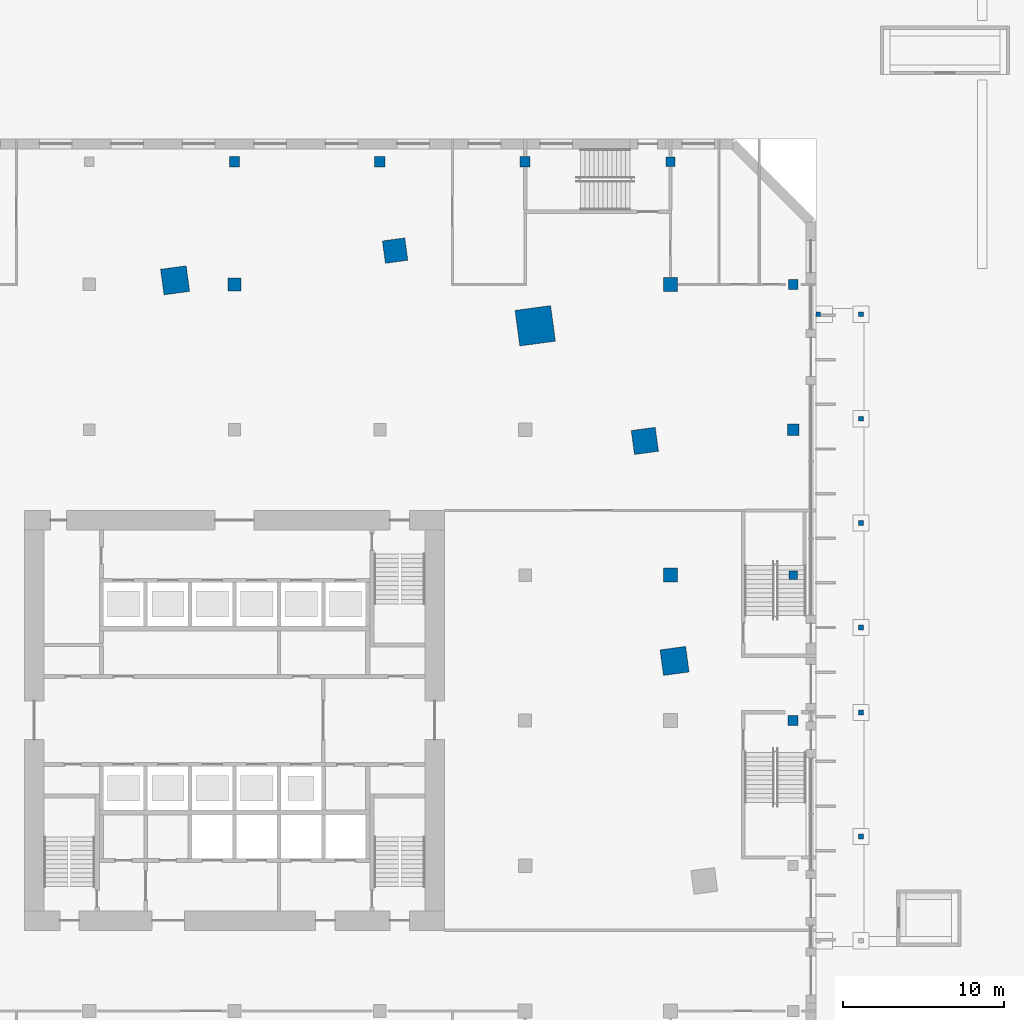
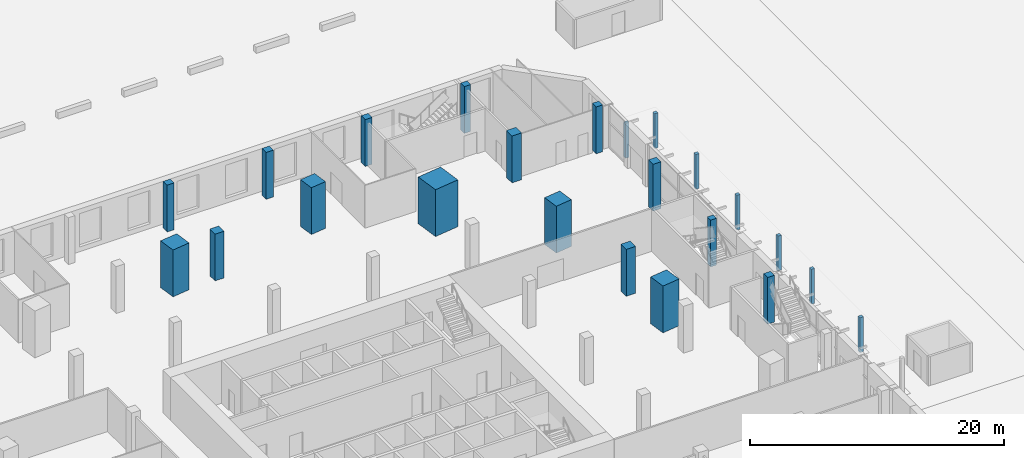
# One storey, part 7 of 42: 23 columns.
"""IFC4 building model written with IfcOpenShell, lengths in metres."""

from ifc_helpers import new_model, si_unit, direction, frame, origin, origin_2d, place, context, subcontext, project, spatial, rectangle, extrude, material, material_profile, profile_set, type_object, element, save


model = new_model("IFC4")

# Units and contexts
model_context = context("Model", 3, precision=1e-05, world=origin(), true_north=direction((0.0, 1.0)))
body_context = subcontext(model_context, "Body", "Model", "MODEL_VIEW")
ifc_project = project(units=[si_unit("LENGTHUNIT", "METRE"), si_unit("AREAUNIT", "SQUARE_METRE"), si_unit("VOLUMEUNIT", "CUBIC_METRE"), si_unit("PLANEANGLEUNIT", "RADIAN"), si_unit("MASSUNIT", "GRAM", prefix="KILO")], contexts=[model_context])

# Site, building, storey
site_placement = place(None, origin())
site = spatial("IfcSite", under=ifc_project, at=site_placement, CompositionType="ELEMENT")
building_placement = place(site_placement, origin())
building = spatial("IfcBuilding", under=site, at=building_placement, Name="Dilmun Exchange Tower", CompositionType="ELEMENT")
storey_placement = place(building_placement, origin())
storey = spatial("IfcBuildingStorey", under=building, at=storey_placement, Name="L00", CompositionType="ELEMENT", Elevation=0.0)

# Columns
ifc_material_1 = material(Name="Concrete C40/50", Category="concrete")
ifc_material_profile_1 = material_profile(ifc_material_1, rectangle(XDim=0.300048828125, YDim=0.300048828125, at=origin_2d()), Name="300 x 300")
ifc_profile_set_1 = profile_set([ifc_material_profile_1], Name="Concrete C40/50")
column_type_1 = type_object("IfcColumnType", Name="Canopy column 300 x 300 C40/50", PredefinedType="COLUMN", material=ifc_profile_set_1)
for number, where, z_axis, x_axis, name in (
    (1, (38.800048828125, -7.183349609375, 0.0), (0.0, 0.0, 1.0), (0.0, 1.0, 0.0), "Canopy column 3.2"),
    (2, (38.800048828125, 0.4833984375, 0.0), (0.0, 0.0, 1.0), (0.0, 1.0, 0.0), "Canopy column 3.3"),
    (3, (38.800048828125, 5.75, 0.0), (0.0, 0.0, 1.0), (0.0, 1.0, 0.0), "Canopy column 3.4"),
    (4, (38.800048828125, 12.216796875, 0.0), (0.0, 0.0, 1.0), (0.0, 1.0, 0.0), "Canopy column 3.5"),
    (5, (38.800048828125, 18.683349609375, 0.0), (0.0, 0.0, 1.0), (0.0, 1.0, 0.0), "Canopy column 3.6"),
    (6, (38.800048828125, 25.14990234375, 0.0), (0.0, 0.0, 1.0), (0.0, 1.0, 0.0), "Canopy column 3.7"),
    (7, (36.14990234375, 25.14990234375, 0.0), (0.0, 0.0, 1.0), (0.0, 1.0, 0.0), "Canopy column 3.9"),
):
    element("IfcColumn", number, at=place(storey_placement, frame(where, z_axis=z_axis, x_axis=x_axis)), inside=storey, type_object=column_type_1, Name=name, PredefinedType="COLUMN", context=body_context, shape_type="SweptSolid", body=[
        extrude(rectangle(XDim=0.300048828125, YDim=0.300048828125, at=origin_2d()), origin(), (0.0, 0.0, 1.0), 3.35009765625),
    ])
ifc_material_2 = material(Name="Concrete C80/95", Category="concrete")
ifc_material_profile_2 = material_profile(ifc_material_2, rectangle(XDim=2.22509765625, YDim=2.22509765625, at=origin_2d()), Name="2225 x 2225")
ifc_profile_set_2 = profile_set([ifc_material_profile_2], Name="Concrete C80/95")
column_type_2 = type_object("IfcColumnType", Name="RC mega column 2225 x 2225 C80/95", PredefinedType="COLUMN", material=ifc_profile_set_2)
column_1_placement = place(storey_placement, frame((18.6220703125, 24.43701171875, 0.0), z_axis=(0.0, 0.0, 1.0), x_axis=(0.991001197216, 0.133853005627, 0.0)))
element("IfcColumn", 8, at=column_1_placement, inside=storey, type_object=column_type_2, Name="Mega column M1", PredefinedType="COLUMN", context=body_context, shape_type="SweptSolid", body=[
    extrude(rectangle(XDim=2.22509765625, YDim=2.22509765625, at=origin_2d()), origin(), (0.0, 0.0, 1.0), 4.5),
])
ifc_material_3 = material(Name="Concrete C60/75", Category="concrete")
ifc_material_profile_3 = material_profile(ifc_material_3, rectangle(XDim=0.52490234375, YDim=0.52490234375, at=origin_2d()), Name="525 x 525")
ifc_profile_set_3 = profile_set([ifc_material_profile_3], Name="Concrete C60/75")
column_type_3 = type_object("IfcColumnType", Name="RC podium column 525 x 525 C60/75", PredefinedType="COLUMN", material=ifc_profile_set_3)
column_2_placement = place(storey_placement, frame((34.60009765625, 9.0, 0.0), z_axis=(0.0, 0.0, 1.0), x_axis=(1.0, 0.0, 0.0)))
element("IfcColumn", 9, at=column_2_placement, inside=storey, type_object=column_type_3, Name="Podium column 13K", PredefinedType="COLUMN", context=body_context, shape_type="SweptSolid", body=[
    extrude(rectangle(XDim=0.52490234375, YDim=0.52490234375, at=origin_2d()), origin(), (0.0, 0.0, 1.0), 4.5),
])
ifc_material_profile_4 = material_profile(ifc_material_3, rectangle(XDim=0.574951171875, YDim=0.574951171875, at=origin_2d()), Name="575 x 575")
ifc_profile_set_4 = profile_set([ifc_material_profile_4], Name="Concrete C60/75")
column_type_4 = type_object("IfcColumnType", Name="RC podium column 575 x 575 C60/75", PredefinedType="COLUMN", material=ifc_profile_set_4)
column_3_placement = place(storey_placement, frame((27.0, 34.60009765625, 0.0), z_axis=(0.0, 0.0, 1.0), x_axis=(1.0, 0.0, 0.0)))
element("IfcColumn", 10, at=column_3_placement, inside=storey, type_object=column_type_4, Name="Podium column 12N", PredefinedType="COLUMN", context=body_context, shape_type="SweptSolid", body=[
    extrude(rectangle(XDim=0.574951171875, YDim=0.574951171875, at=origin_2d()), origin(), (0.0, 0.0, 1.0), 4.5),
])
ifc_material_profile_5 = material_profile(ifc_material_3, rectangle(XDim=0.60009765625, YDim=0.60009765625, at=origin_2d()), Name="600 x 600")
ifc_profile_set_5 = profile_set([ifc_material_profile_5], Name="Concrete C60/75")
column_type_5 = type_object("IfcColumnType", Name="RC podium column 600 x 600 C60/75", PredefinedType="COLUMN", material=ifc_profile_set_5)
column_4_placement = place(storey_placement, frame((34.60009765625, 27.0, 0.0), z_axis=(0.0, 0.0, 1.0), x_axis=(1.0, 0.0, 0.0)))
element("IfcColumn", 11, at=column_4_placement, inside=storey, type_object=column_type_5, Name="Podium column 13M", PredefinedType="COLUMN", context=body_context, shape_type="SweptSolid", body=[
    extrude(rectangle(XDim=0.60009765625, YDim=0.60009765625, at=origin_2d()), origin(), (0.0, 0.0, 1.0), 4.5),
])
ifc_material_profile_6 = material_profile(ifc_material_3, rectangle(XDim=0.625, YDim=0.625, at=origin_2d()), Name="625 x 625")
ifc_profile_set_6 = profile_set([ifc_material_profile_6], Name="Concrete C60/75")
column_type_6 = type_object("IfcColumnType", Name="RC podium column 625 x 625 C60/75", PredefinedType="COLUMN", material=ifc_profile_set_6)
for number, where, z_axis, x_axis, name in (
    (12, (0.0, 34.60009765625, 0.0), (0.0, 0.0, 1.0), (1.0, 0.0, 0.0), "Podium column 9N"),
    (13, (18.0, 34.60009765625, 0.0), (0.0, 0.0, 1.0), (1.0, 0.0, 0.0), "Podium column 11N"),
    (14, (34.60009765625, 0.0, 0.0), (0.0, 0.0, 1.0), (1.0, 0.0, 0.0), "Podium column 13J"),
):
    element("IfcColumn", number, at=place(storey_placement, frame(where, z_axis=z_axis, x_axis=x_axis)), inside=storey, type_object=column_type_6, Name=name, PredefinedType="COLUMN", context=body_context, shape_type="SweptSolid", body=[
        extrude(rectangle(XDim=0.625, YDim=0.625, at=origin_2d()), origin(), (0.0, 0.0, 1.0), 4.5),
    ])
ifc_material_profile_7 = material_profile(ifc_material_3, rectangle(XDim=0.64990234375, YDim=0.64990234375, at=origin_2d()), Name="650 x 650")
ifc_profile_set_7 = profile_set([ifc_material_profile_7], Name="Concrete C60/75")
column_type_7 = type_object("IfcColumnType", Name="RC podium column 650 x 650 C60/75", PredefinedType="COLUMN", material=ifc_profile_set_7)
column_5_placement = place(storey_placement, frame((9.0, 34.60009765625, 0.0), z_axis=(0.0, 0.0, 1.0), x_axis=(1.0, 0.0, 0.0)))
element("IfcColumn", 15, at=column_5_placement, inside=storey, type_object=column_type_7, Name="Podium column 10N", PredefinedType="COLUMN", context=body_context, shape_type="SweptSolid", body=[
    extrude(rectangle(XDim=0.64990234375, YDim=0.64990234375, at=origin_2d()), origin(), (0.0, 0.0, 1.0), 4.5),
])
ifc_material_profile_8 = material_profile(ifc_material_3, rectangle(XDim=0.72509765625, YDim=0.72509765625, at=origin_2d()), Name="725 x 725")
ifc_profile_set_8 = profile_set([ifc_material_profile_8], Name="Concrete C60/75")
column_type_8 = type_object("IfcColumnType", Name="RC podium column 725 x 725 C60/75", PredefinedType="COLUMN", material=ifc_profile_set_8)
column_6_placement = place(storey_placement, frame((34.60009765625, 18.0, 0.0), z_axis=(0.0, 0.0, 1.0), x_axis=(1.0, 0.0, 0.0)))
element("IfcColumn", 16, at=column_6_placement, inside=storey, type_object=column_type_8, Name="Podium column 13L", PredefinedType="COLUMN", context=body_context, shape_type="SweptSolid", body=[
    extrude(rectangle(XDim=0.72509765625, YDim=0.72509765625, at=origin_2d()), origin(), (0.0, 0.0, 1.0), 4.5),
])
ifc_material_profile_9 = material_profile(ifc_material_3, rectangle(XDim=0.824951171875, YDim=0.824951171875, at=origin_2d()), Name="825 x 825")
ifc_profile_set_9 = profile_set([ifc_material_profile_9], Name="Concrete C60/75")
column_type_9 = type_object("IfcColumnType", Name="RC podium column 825 x 825 C60/75", PredefinedType="COLUMN", material=ifc_profile_set_9)
column_7_placement = place(storey_placement, frame((0.0, 27.0, 0.0), z_axis=(0.0, 0.0, 1.0), x_axis=(1.0, 0.0, 0.0)))
element("IfcColumn", 17, at=column_7_placement, inside=storey, type_object=column_type_9, Name="Podium column 9M", PredefinedType="COLUMN", context=body_context, shape_type="SweptSolid", body=[
    extrude(rectangle(XDim=0.824951171875, YDim=0.824951171875, at=origin_2d()), origin(), (0.0, 0.0, 1.0), 4.5),
])
ifc_material_profile_10 = material_profile(ifc_material_3, rectangle(XDim=0.85009765625, YDim=0.85009765625, at=origin_2d()), Name="850 x 850")
ifc_profile_set_10 = profile_set([ifc_material_profile_10], Name="Concrete C60/75")
column_type_10 = type_object("IfcColumnType", Name="RC podium column 850 x 850 C60/75", PredefinedType="COLUMN", material=ifc_profile_set_10)
column_8_placement = place(storey_placement, frame((27.0, 9.0, 0.0), z_axis=(0.0, 0.0, 1.0), x_axis=(1.0, 0.0, 0.0)))
element("IfcColumn", 18, at=column_8_placement, inside=storey, type_object=column_type_10, Name="Podium column 12K", PredefinedType="COLUMN", context=body_context, shape_type="SweptSolid", body=[
    extrude(rectangle(XDim=0.85009765625, YDim=0.85009765625, at=origin_2d()), origin(), (0.0, 0.0, 1.0), 4.5),
])
ifc_material_profile_11 = material_profile(ifc_material_3, rectangle(XDim=0.875, YDim=0.875, at=origin_2d()), Name="875 x 875")
ifc_profile_set_11 = profile_set([ifc_material_profile_11], Name="Concrete C60/75")
column_type_11 = type_object("IfcColumnType", Name="RC podium column 875 x 875 C60/75", PredefinedType="COLUMN", material=ifc_profile_set_11)
column_9_placement = place(storey_placement, frame((27.0, 27.0, 0.0), z_axis=(0.0, 0.0, 1.0), x_axis=(1.0, 0.0, 0.0)))
element("IfcColumn", 19, at=column_9_placement, inside=storey, type_object=column_type_11, Name="Podium column 12M", PredefinedType="COLUMN", context=body_context, shape_type="SweptSolid", body=[
    extrude(rectangle(XDim=0.875, YDim=0.875, at=origin_2d()), origin(), (0.0, 0.0, 1.0), 4.5),
])
ifc_material_profile_12 = material_profile(ifc_material_2, rectangle(XDim=1.39990234375, YDim=1.39990234375, at=origin_2d()), Name="1400 x 1400")
ifc_profile_set_12 = profile_set([ifc_material_profile_12], Name="Concrete C80/95")
column_type_12 = type_object("IfcColumnType", Name="RC ring column 1400 x 1400 C80/95", PredefinedType="COLUMN", material=ifc_profile_set_12)
column_10_placement = place(storey_placement, frame((9.945068359375, 29.093017578125, 0.0), z_axis=(0.0, 0.0, 1.0), x_axis=(0.991001197216, 0.133853005627, 0.0)))
element("IfcColumn", 20, at=column_10_placement, inside=storey, type_object=column_type_12, Name="Ring column R01", PredefinedType="COLUMN", context=body_context, shape_type="SweptSolid", body=[
    extrude(rectangle(XDim=1.39990234375, YDim=1.39990234375, at=origin_2d()), origin(), (0.0, 0.0, 1.0), 4.5),
])
ifc_material_profile_13 = material_profile(ifc_material_2, rectangle(XDim=1.5, YDim=1.5, at=origin_2d()), Name="1500 x 1500")
ifc_profile_set_13 = profile_set([ifc_material_profile_13], Name="Concrete C80/95")
column_type_13 = type_object("IfcColumnType", Name="RC ring column 1500 x 1500 C80/95", PredefinedType="COLUMN", material=ifc_profile_set_13)
column_11_placement = place(storey_placement, frame((25.412109375, 17.306884765625, 0.0), z_axis=(0.0, 0.0, 1.0), x_axis=(0.991001197216, 0.133853005627, 0.0)))
element("IfcColumn", 21, at=column_11_placement, inside=storey, type_object=column_type_13, Name="Ring column R12", PredefinedType="COLUMN", context=body_context, shape_type="SweptSolid", body=[
    extrude(rectangle(XDim=1.5, YDim=1.5, at=origin_2d()), origin(), (0.0, 0.0, 1.0), 4.5),
])
ifc_material_profile_14 = material_profile(ifc_material_2, rectangle(XDim=1.60009765625, YDim=1.60009765625, at=origin_2d()), Name="1600 x 1600")
ifc_profile_set_14 = profile_set([ifc_material_profile_14], Name="Concrete C80/95")
column_type_14 = type_object("IfcColumnType", Name="RC ring column 1600 x 1600 C80/95", PredefinedType="COLUMN", material=ifc_profile_set_14)
for number, where, z_axis, x_axis, name in (
    (22, (-3.680908203125, 27.2529296875, 0.0), (0.0, 0.0, 1.0), (0.991001197216, 0.133853005627, 0.0), "Ring column R02"),
    (23, (27.2529296875, 3.680908203125, 0.0), (0.0, 0.0, 1.0), (0.991001197216, 0.133853005627, 0.0), "Ring column R11"),
):
    element("IfcColumn", number, at=place(storey_placement, frame(where, z_axis=z_axis, x_axis=x_axis)), inside=storey, type_object=column_type_14, Name=name, PredefinedType="COLUMN", context=body_context, shape_type="SweptSolid", body=[
        extrude(rectangle(XDim=1.60009765625, YDim=1.60009765625, at=origin_2d()), origin(), (0.0, 0.0, 1.0), 4.5),
    ])

save(model, "model.ifc")
